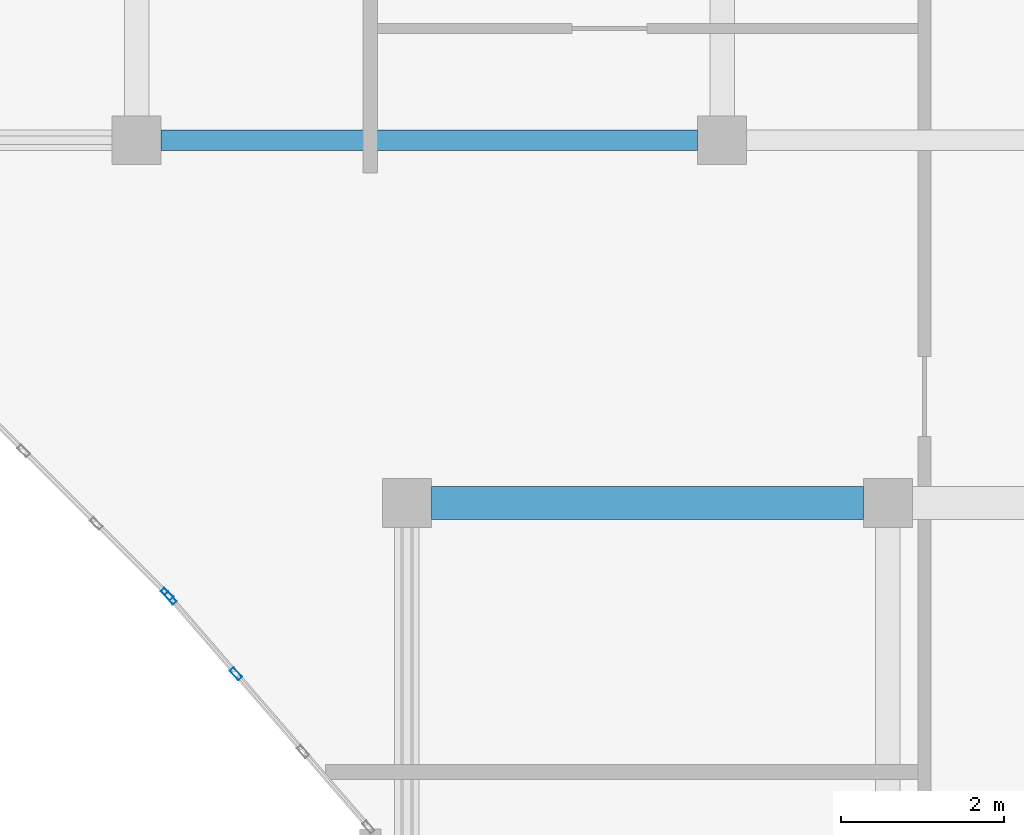
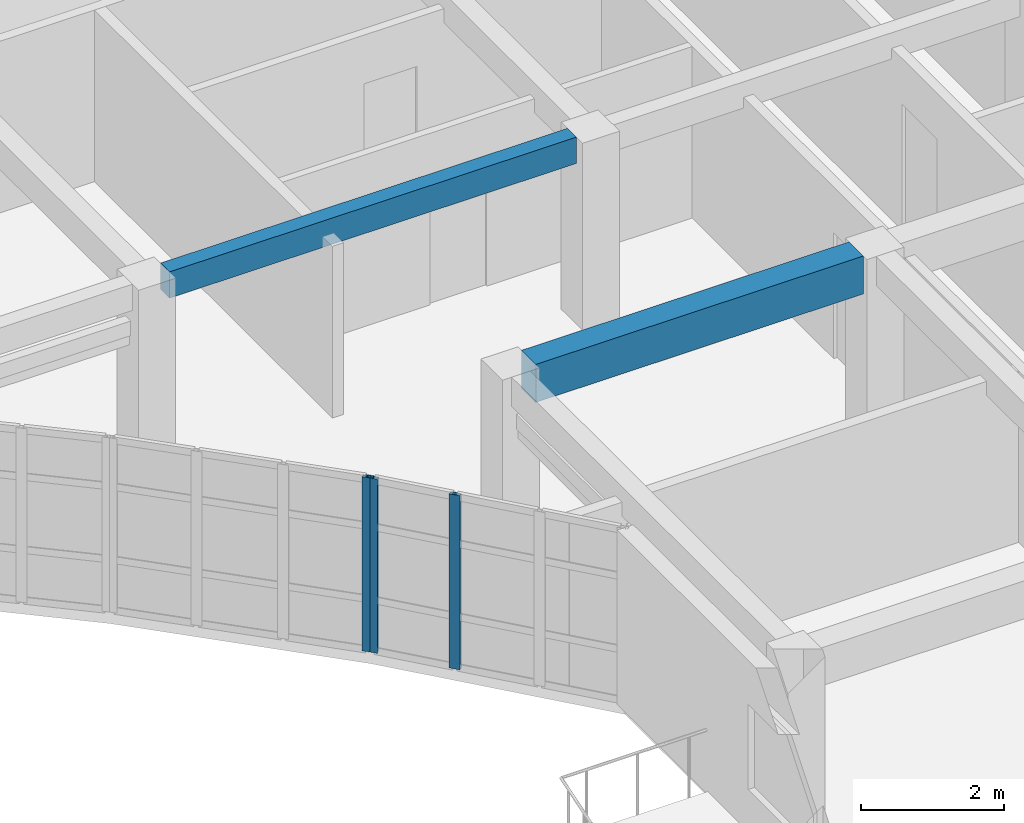
# One storey, part 13 of 71: 3 members, 2 beams, 2 elements without a shape of their own.
"""IFC4 building model written with IfcOpenShell, lengths in metres."""

from ifc_helpers import new_model, si_unit, direction, frame, origin, origin_2d, place, context, subcontext, project, spatial, rectangle, hollow_rectangle, extrude, material, layer, layer_set, material_profile, profile_set, type_object, element, aggregate, save


model = new_model("IFC4")

# Units and contexts
model_context = context("Model", 3, precision=1e-05, world=origin(), true_north=direction((0.0, 1.0)))
body_context = subcontext(model_context, "Body", "Model", "MODEL_VIEW")
ifc_project = project(units=[si_unit("LENGTHUNIT", "METRE"), si_unit("AREAUNIT", "SQUARE_METRE"), si_unit("VOLUMEUNIT", "CUBIC_METRE"), si_unit("PLANEANGLEUNIT", "RADIAN"), si_unit("MASSUNIT", "GRAM", prefix="KILO")], contexts=[model_context])

# Site, building, storey
site_placement = place(None, origin())
site = spatial("IfcSite", under=ifc_project, at=site_placement, CompositionType="ELEMENT")
building_placement = place(site_placement, origin())
building = spatial("IfcBuilding", under=site, at=building_placement, Name="Keldmere Railside Commons", CompositionType="ELEMENT")
storey_placement = place(building_placement, frame((0.0, 0.0, 20.159912109375)))
storey = spatial("IfcBuildingStorey", under=building, at=storey_placement, Name="L06", CompositionType="ELEMENT", Elevation=20.159912109375)

# Beams
ifc_material_1 = material(Name="Architectural Precast Concrete H-35 (C35/45)", Category="concrete")
ifc_material_profile_1 = material_profile(ifc_material_1, rectangle(XDim=0.25, YDim=0.449951171875, at=origin_2d()), Name="RC-250x450")
ifc_profile_set_1 = profile_set([ifc_material_profile_1], Name="Architectural Precast Concrete H-35 (C35/45)")
beam_type_1 = type_object("IfcBeamType", Name="Perimeter Precast Spandrel Beam 250x450", PredefinedType="SPANDREL", material=ifc_profile_set_1)
beam_1_placement = place(storey_placement, frame((101.43310546875, 100.449951171875, 2.97509765625), z_axis=(1.0, 0.0, 0.0), x_axis=(0.0, 1.0, 0.0)))
element("IfcBeam", 1, at=beam_1_placement, inside=storey, type_object=beam_type_1, Name="SPB-1 BM-L06-1902", PredefinedType="SPANDREL", context=body_context, shape_type="SweptSolid", body=[
    extrude(rectangle(XDim=0.25, YDim=0.449951171875, at=origin_2d()), origin(), (0.0, 0.0, 1.0), 6.583984375),
])
ifc_material_2 = material(Name="Concrete H-30 (C30/37)", Category="concrete")
ifc_material_profile_2 = material_profile(ifc_material_2, rectangle(XDim=0.39990234375, YDim=0.64990234375, at=origin_2d()), Name="RC-400x650")
ifc_profile_set_2 = profile_set([ifc_material_profile_2], Name="Concrete H-30 (C30/37)")
beam_type_2 = type_object("IfcBeamType", Name="Residential Spine RC Girder 400x650", PredefinedType="BEAM", material=ifc_profile_set_2)
beam_2_placement = place(storey_placement, frame((104.75, 96.0, 2.875), z_axis=(1.0, 0.0, 0.0), x_axis=(0.0, 1.0, 0.0)))
element("IfcBeam", 2, at=beam_2_placement, inside=storey, type_object=beam_type_2, Name="BG-3 BM-L06-1893", PredefinedType="BEAM", context=body_context, shape_type="SweptSolid", body=[
    extrude(rectangle(XDim=0.39990234375, YDim=0.64990234375, at=origin_2d()), origin(), (0.0, 0.0, 1.0), 5.300048828125),
])

# Curtain wall, member
ifc_material_3 = material(Name="Thermally Broken Aluminium", Category="aluminium")
ifc_layer_1 = layer(ifc_material_3, 0.159912109375, Name="Court Chord Wintergarden CW 5400x2850")
ifc_layer_set_1 = layer_set([ifc_layer_1], Name="Thermally Broken Aluminium")
curtain_wall_type_1 = type_object("IfcCurtainWallType", Name="Court Chord Wintergarden CW 5400x2850", PredefinedType="NOTDEFINED", material=ifc_layer_set_1)
curtain_wall_1_placement = place(storey_placement, origin())
curtain_wall_1 = element("IfcCurtainWall", 3, at=curtain_wall_1_placement, inside=storey, type_object=curtain_wall_type_1, Name="CW-13 CW-L06-125", PredefinedType="NOTDEFINED")
ifc_material_profile_3 = material_profile(ifc_material_3, hollow_rectangle(XDim=0.06494140625, YDim=0.159912109375, WallThickness=0.00390625, at=origin_2d()), Name="ALU-MULL-65x160")
ifc_profile_set_3 = profile_set([ifc_material_profile_3], Name="Thermally Broken Aluminium")
member_type = type_object("IfcMemberType", Name="Unitised Curtain Wall Mullion 65x160", PredefinedType="MULLION", material=ifc_profile_set_3)
member_1_placement = place(storey_placement, frame((101.507080078125, 94.880859375, 0.0), z_axis=(0.0, 0.0, 1.0), x_axis=(-0.707106781187, -0.707106781187, 0.0)))
member_1 = element("IfcMember", 4, at=member_1_placement, type_object=member_type, Name="CW-13 mullion 1", PredefinedType="MULLION", context=body_context, shape_type="SweptSolid", body=[
    extrude(hollow_rectangle(XDim=0.06494140625, YDim=0.159912109375, WallThickness=0.00390625, at=origin_2d()), origin(), (0.0, 0.0, 1.0), 2.97998046875),
])
aggregate(curtain_wall_1, [member_1])

# Curtain wall, members
ifc_layer_2 = layer(ifc_material_3, 0.159912109375, Name="Court Chord Wintergarden CW 4800x2850")
ifc_layer_set_2 = layer_set([ifc_layer_2], Name="Thermally Broken Aluminium")
curtain_wall_type_2 = type_object("IfcCurtainWallType", Name="Court Chord Wintergarden CW 4800x2850", PredefinedType="NOTDEFINED", material=ifc_layer_set_2)
curtain_wall_2_placement = place(storey_placement, origin())
curtain_wall_2 = element("IfcCurtainWall", 5, at=curtain_wall_2_placement, inside=storey, type_object=curtain_wall_type_2, Name="CW-12 CW-L06-126", PredefinedType="NOTDEFINED")
member_2_placement = place(storey_placement, frame((102.353271484375, 93.9052734375, 0.0), z_axis=(0.0, 0.0, 1.0), x_axis=(-0.756596767584, -0.653881741053, 0.0)))
member_2 = element("IfcMember", 6, at=member_2_placement, type_object=member_type, Name="CW-12 mullion 3", PredefinedType="MULLION", context=body_context, shape_type="SweptSolid", body=[
    extrude(hollow_rectangle(XDim=0.06494140625, YDim=0.159912109375, WallThickness=0.00390625, at=origin_2d()), origin(), (0.0, 0.0, 1.0), 2.97998046875),
])
member_3_placement = place(storey_placement, frame((101.55126953125, 94.83349609375, 0.0), z_axis=(0.0, 0.0, 1.0), x_axis=(-0.756596767584, -0.653881741053, 0.0)))
member_3 = element("IfcMember", 7, at=member_3_placement, type_object=member_type, Name="CW-12 mullion 4", PredefinedType="MULLION", context=body_context, shape_type="SweptSolid", body=[
    extrude(hollow_rectangle(XDim=0.06494140625, YDim=0.159912109375, WallThickness=0.00390625, at=origin_2d()), origin(), (0.0, 0.0, 1.0), 2.97998046875),
])
aggregate(curtain_wall_2, [member_2, member_3])

save(model, "model.ifc")
